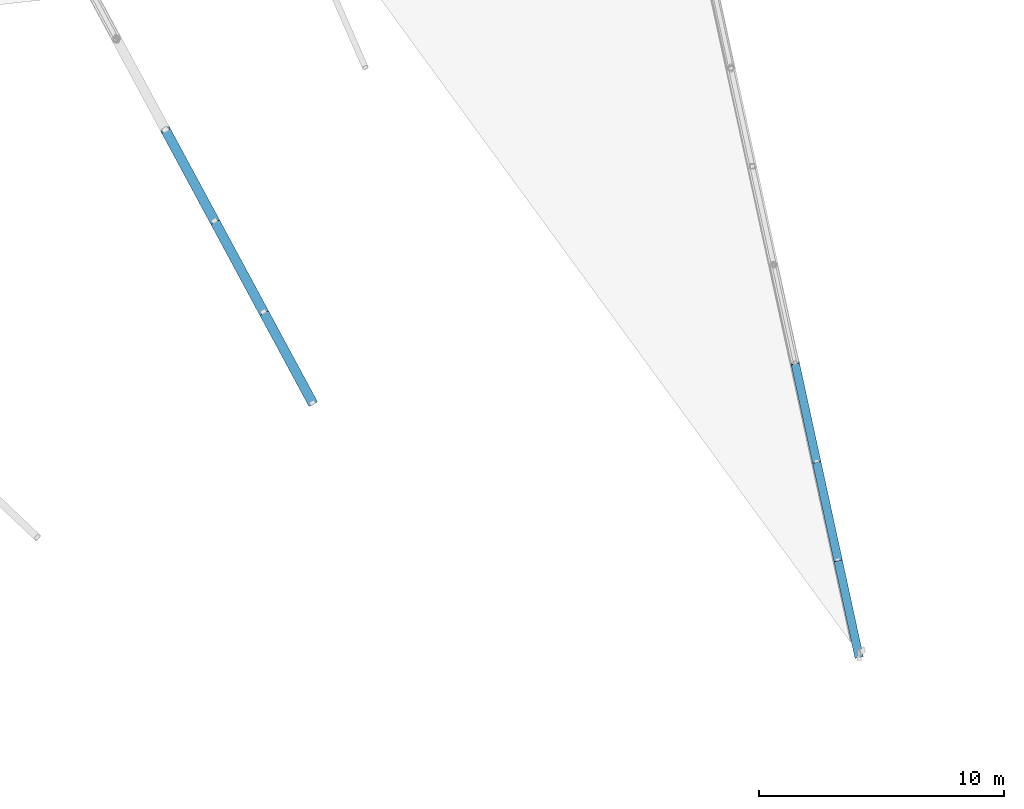
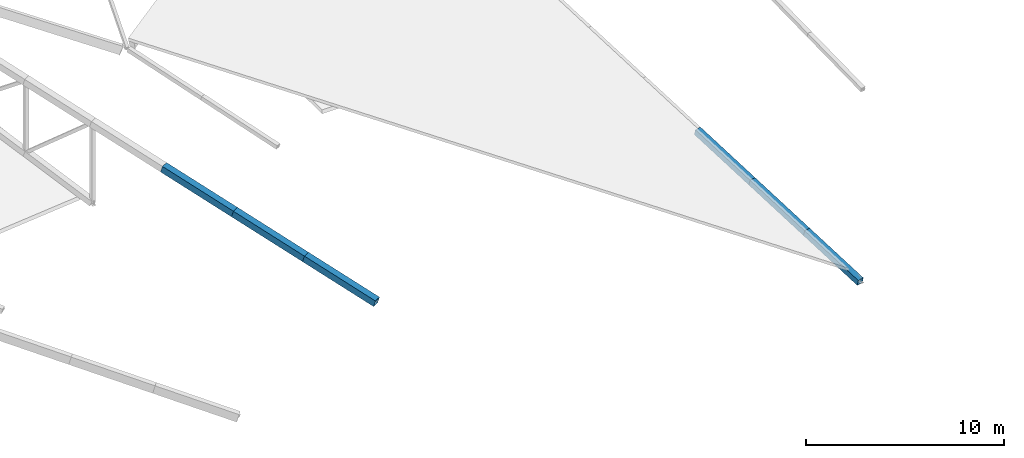
# One storey, part 71 of 188: 6 members.
"""IFC4 building model written with IfcOpenShell, lengths in metres."""

from ifc_helpers import new_model, si_unit, direction, frame, origin, origin_2d, place, context, subcontext, project, spatial, hollow_rectangle, extrude, material, material_profile, profile_set, type_object, element, save


model = new_model("IFC4")

# Units and contexts
model_context = context("Model", 3, precision=1e-05, world=origin(), true_north=direction((0.0, 1.0)))
body_context = subcontext(model_context, "Body", "Model", "MODEL_VIEW")
ifc_project = project(units=[si_unit("LENGTHUNIT", "METRE"), si_unit("AREAUNIT", "SQUARE_METRE"), si_unit("VOLUMEUNIT", "CUBIC_METRE"), si_unit("PLANEANGLEUNIT", "RADIAN"), si_unit("MASSUNIT", "GRAM", prefix="KILO")], contexts=[model_context])

# Site, building, storey
site_placement = place(None, origin())
site = spatial("IfcSite", under=ifc_project, at=site_placement, CompositionType="ELEMENT")
building_placement = place(site_placement, origin())
building = spatial("IfcBuilding", under=site, at=building_placement, Name="Meseta Stadium", CompositionType="ELEMENT")
storey_placement = place(building_placement, frame((0.0, 0.0, 30.0)))
storey = spatial("IfcBuildingStorey", under=building, at=storey_placement, Name="ROOF", CompositionType="ELEMENT", Elevation=30.0)

# Members
ifc_material_1 = material(Name="Steel S355", Category="steel")
ifc_material_profile_1 = material_profile(ifc_material_1, hollow_rectangle(XDim=0.35009765625, YDim=0.35009765625, WallThickness=0.010009765625, at=origin_2d()), Name="SHS 350x350x10")
ifc_profile_set_1 = profile_set([ifc_material_profile_1], Name="Steel S355")
member_type_1 = type_object("IfcMemberType", Name="SHS 350x350x10 top chord", PredefinedType="CHORD", material=ifc_profile_set_1)
member_1_placement = place(storey_placement, frame((-14.404296875, 65.9033203125, 0.70947265625), z_axis=(-0.20668236529, 0.949763076222, 0.235015954616), x_axis=(-0.977131038341, -0.212638034957, 0.0)))
element("IfcMember", 1, at=member_1_placement, inside=storey, type_object=member_type_1, Name="ROOF TRUSS RT-20 top chord", PredefinedType="CHORD", context=body_context, shape_type="SweptSolid", body=[
    extrude(hollow_rectangle(XDim=0.35009765625, YDim=0.35009765625, WallThickness=0.010009765625, at=origin_2d()), origin(), (0.0, 0.0, 1.0), 4.1533203125),
])
for number, where, z_axis, x_axis, name in (
    (2, (-15.2626953125, 69.847900390625, 1.685546875), (-0.206716633204, 0.949763502107, 0.234984092274), (-0.977123732443, -0.212671604821, 0.0), "ROOF TRUSS RT-20 top chord"),
    (3, (-16.1357421875, 73.859130859375, 2.677978515625), (-0.206661295728, 0.949774850017, 0.234986899898), (-0.9771360896, -0.212614821687, 0.0), "ROOF TRUSS RT-20 top chord"),
):
    element("IfcMember", number, at=place(storey_placement, frame(where, z_axis=z_axis, x_axis=x_axis)), inside=storey, type_object=member_type_1, Name=name, PredefinedType="CHORD", context=body_context, shape_type="SweptSolid", body=[
        extrude(hollow_rectangle(XDim=0.35009765625, YDim=0.35009765625, WallThickness=0.010009765625, at=origin_2d()), origin(), (0.0, 0.0, 1.0), 4.223388671875),
    ])
ifc_material_2 = material(Name="Steel S355", Category="steel")
ifc_material_profile_2 = material_profile(ifc_material_2, hollow_rectangle(XDim=0.39990234375, YDim=0.39990234375, WallThickness=0.010009765625, at=origin_2d()), Name="SHS 400x400x10")
ifc_profile_set_2 = profile_set([ifc_material_profile_2], Name="Steel S355")
member_type_2 = type_object("IfcMemberType", Name="SHS 400x400x10 top chord", PredefinedType="CHORD", material=ifc_profile_set_2)
member_2_placement = place(storey_placement, frame((-36.682373046875, 76.239013671875, 0.993896484375), z_axis=(-0.455643802198, 0.845933421341, 0.277101736151), x_axis=(-0.880409753132, -0.474213735134, 0.0)))
element("IfcMember", 4, at=member_2_placement, inside=storey, type_object=member_type_2, Name="ROOF TRUSS RT-22 top chord", PredefinedType="CHORD", context=body_context, shape_type="SweptSolid", body=[
    extrude(hollow_rectangle(XDim=0.39990234375, YDim=0.39990234375, WallThickness=0.010009765625, at=origin_2d()), origin(), (0.0, 0.0, 1.0), 4.389404296875),
])
for number, where, z_axis, x_axis, name in (
    (5, (-38.682373046875, 79.9521484375, 2.210205078125), (-0.455658217472, 0.845904561928, 0.277166125203), (-0.880396734491, -0.474237904324, 0.0), "ROOF TRUSS RT-22 top chord"),
    (6, (-40.682373046875, 83.6650390625, 3.4267578125), (-0.455658217472, 0.845904561928, 0.277166125203), (-0.880396734491, -0.474237904324, 0.0), "ROOF TRUSS RT-22 top chord"),
):
    element("IfcMember", number, at=place(storey_placement, frame(where, z_axis=z_axis, x_axis=x_axis)), inside=storey, type_object=member_type_2, Name=name, PredefinedType="CHORD", context=body_context, shape_type="SweptSolid", body=[
        extrude(hollow_rectangle(XDim=0.39990234375, YDim=0.39990234375, WallThickness=0.010009765625, at=origin_2d()), origin(), (0.0, 0.0, 1.0), 4.38916015625),
    ])

save(model, "model.ifc")
